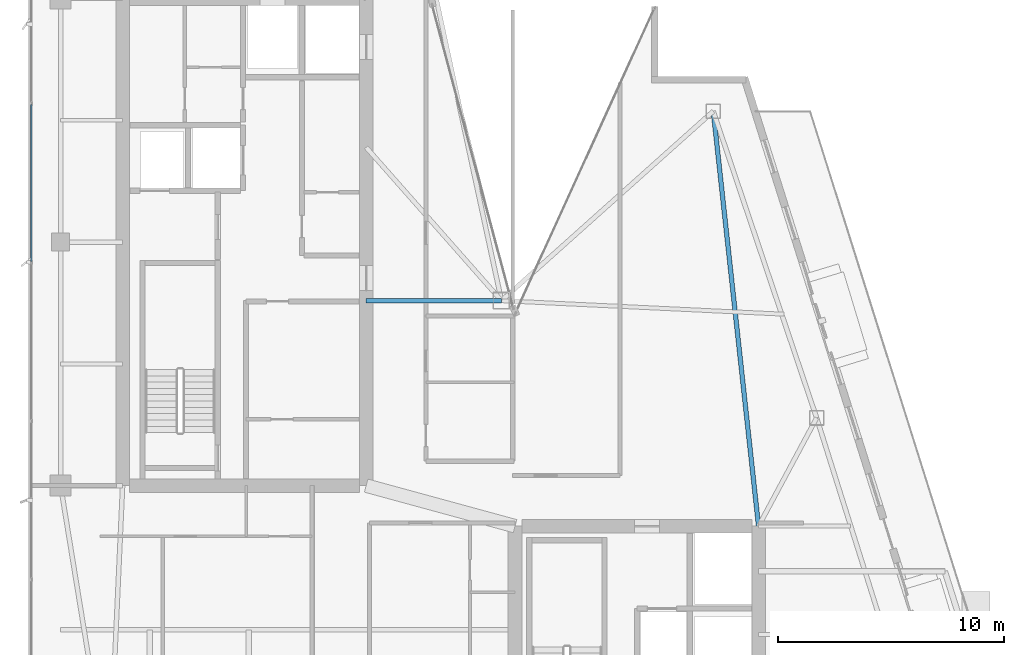
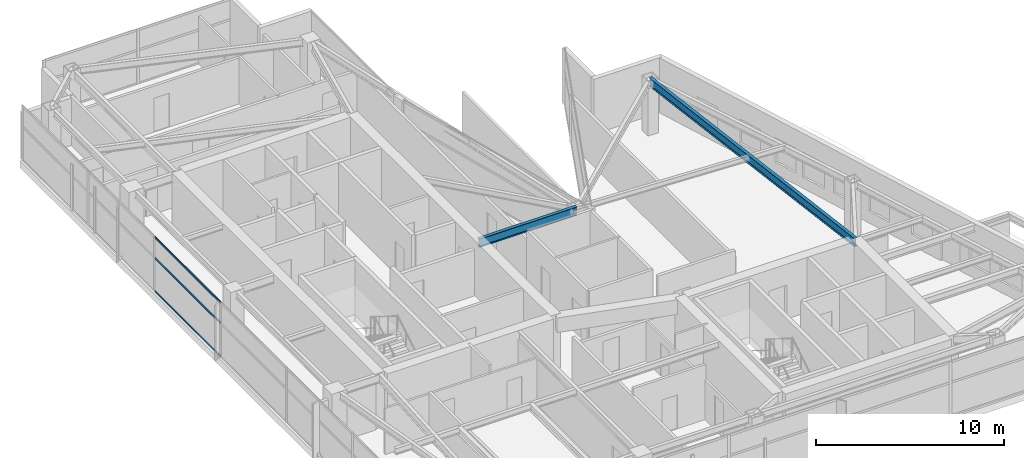
# One storey, part 11 of 27: 3 members, 2 beams, 1 element without a shape of its own.
"""IFC4 building model written with IfcOpenShell, lengths in metres."""

from ifc_helpers import new_model, si_unit, direction, frame, origin, origin_2d, place, context, subcontext, project, spatial, hollow_rectangle, i_section, extrude, material, layer, layer_set, material_profile, profile_set, type_object, element, aggregate, save


model = new_model("IFC4")

# Units and contexts
model_context = context("Model", 3, precision=1e-05, world=origin(), true_north=direction((0.0, 1.0)))
body_context = subcontext(model_context, "Body", "Model", "MODEL_VIEW")
ifc_project = project(units=[si_unit("LENGTHUNIT", "METRE"), si_unit("AREAUNIT", "SQUARE_METRE"), si_unit("VOLUMEUNIT", "CUBIC_METRE"), si_unit("PLANEANGLEUNIT", "RADIAN"), si_unit("MASSUNIT", "GRAM", prefix="KILO")], contexts=[model_context])

# Site, building, storey
site_placement = place(None, origin())
site = spatial("IfcSite", under=ifc_project, at=site_placement, CompositionType="ELEMENT")
building_placement = place(site_placement, origin())
building = spatial("IfcBuilding", under=site, at=building_placement, Name="Calvorn Quay Hotel", CompositionType="ELEMENT")
storey_placement = place(building_placement, frame((0.0, 0.0, 287.300048828125)))
storey = spatial("IfcBuildingStorey", under=building, at=storey_placement, Name="L71", CompositionType="ELEMENT", Elevation=287.300048828125)

# Beams
ifc_material_1 = material(Name="Steel Q355B", Category="steel")
ifc_material_profile_1 = material_profile(ifc_material_1, i_section(OverallWidth=0.199951171875, OverallDepth=0.550048828125, WebThickness=0.010009765625, FlangeThickness=0.01611328125, FilletRadius=0.01806640625, at=origin_2d()), Name="HN550x200x10x16")
ifc_profile_set_1 = profile_set([ifc_material_profile_1], Name="Steel Q355B")
beam_type = type_object("IfcBeamType", Name="BM-GIRD-UPP", PredefinedType="BEAM", material=ifc_profile_set_1)
beam_1_placement = place(storey_placement, frame((21.0, 25.0, 3.264892578125), z_axis=(-1.0, 0.0, 0.0), x_axis=(0.0, -1.0, 0.0)))
element("IfcBeam", 1, at=beam_1_placement, inside=storey, type_object=beam_type, Name="Beam BG-L71-W7", PredefinedType="BEAM", context=body_context, shape_type="SweptSolid", body=[
    extrude(i_section(OverallWidth=0.199951171875, OverallDepth=0.550048828125, WebThickness=0.010009765625, FlangeThickness=0.01611328125, FilletRadius=0.01806640625, at=origin_2d()), origin(), (0.0, 0.0, 1.0), 6.0),
])
beam_2_placement = place(storey_placement, frame((32.39990234375, 15.0, 3.264892578125), z_axis=(-0.108529038315, 0.994093279246, 0.0), x_axis=(-0.994093279246, -0.108529038315, 0.0)))
element("IfcBeam", 2, at=beam_2_placement, inside=storey, type_object=beam_type, Name="Beam BG-L71-E3", PredefinedType="BEAM", context=body_context, shape_type="SweptSolid", body=[
    extrude(i_section(OverallWidth=0.199951171875, OverallDepth=0.550048828125, WebThickness=0.010009765625, FlangeThickness=0.01611328125, FilletRadius=0.01806640625, at=origin_2d()), origin(), (0.0, 0.0, 1.0), 18.50927734375),
])

# Curtain wall, members
ifc_material_2 = material(Name="Champagne Bronze Anodised Aluminium and Low-E Glass", Category="aluminium")
ifc_layer = layer(ifc_material_2, 0.219970703125)
ifc_layer_set = layer_set([ifc_layer], Name="CW-SYS-Z4")
curtain_wall_type = type_object("IfcCurtainWallType", Name="CW-SYS-Z4", PredefinedType="NOTDEFINED", material=ifc_layer_set)
curtain_wall_placement = place(storey_placement, origin())
curtain_wall = element("IfcCurtainWall", 3, at=curtain_wall_placement, inside=storey, type_object=curtain_wall_type, Name="Tower West Curtain Wall (L71)", PredefinedType="NOTDEFINED")
ifc_material_3 = material(Name="Champagne Bronze Anodised Aluminium 6063-T6", Category="aluminium")
ifc_material_profile_2 = material_profile(ifc_material_3, hollow_rectangle(XDim=0.054931640625, YDim=0.1298828125, WallThickness=0.003173828125, at=origin_2d()), Name="ALU-T130x55x3.2")
ifc_profile_set_2 = profile_set([ifc_material_profile_2], Name="Champagne Bronze Anodised Aluminium 6063-T6")
member_type = type_object("IfcMemberType", Name="CW-SYS-Z4-TRN", PredefinedType="USERDEFINED", material=ifc_profile_set_2)
member_1_placement = place(storey_placement, frame((0.14990234375, 26.72998046875, 0.030029296875), z_axis=(0.0, 1.0, 0.0), x_axis=(-1.0, 0.0, 0.0)))
member_1 = element("IfcMember", 4, at=member_1_placement, type_object=member_type, Name="CW-L71-W transom 4.1", ObjectType="TRANSOM", PredefinedType="USERDEFINED", context=body_context, shape_type="SweptSolid", body=[
    extrude(hollow_rectangle(XDim=0.054931640625, YDim=0.1298828125, WallThickness=0.003173828125, at=origin_2d()), origin(), (0.0, 0.0, 1.0), 6.973388671875),
])
member_2_placement = place(storey_placement, frame((0.14990234375, 26.72998046875, 2.199951171875), z_axis=(0.0, 1.0, 0.0), x_axis=(-1.0, 0.0, 0.0)))
member_2 = element("IfcMember", 5, at=member_2_placement, type_object=member_type, Name="CW-L71-W transom 4.2", ObjectType="TRANSOM", PredefinedType="USERDEFINED", context=body_context, shape_type="SweptSolid", body=[
    extrude(hollow_rectangle(XDim=0.054931640625, YDim=0.1298828125, WallThickness=0.003173828125, at=origin_2d()), origin(), (0.0, 0.0, 1.0), 6.973388671875),
])
member_3_placement = place(storey_placement, frame((0.14990234375, 26.72998046875, 3.530029296875), z_axis=(0.0, 1.0, 0.0), x_axis=(-1.0, 0.0, 0.0)))
member_3 = element("IfcMember", 6, at=member_3_placement, type_object=member_type, Name="CW-L71-W transom 4.3", ObjectType="TRANSOM", PredefinedType="USERDEFINED", context=body_context, shape_type="SweptSolid", body=[
    extrude(hollow_rectangle(XDim=0.054931640625, YDim=0.1298828125, WallThickness=0.003173828125, at=origin_2d()), origin(), (0.0, 0.0, 1.0), 6.973388671875),
])
aggregate(curtain_wall, [member_1, member_2, member_3])

save(model, "model.ifc")
